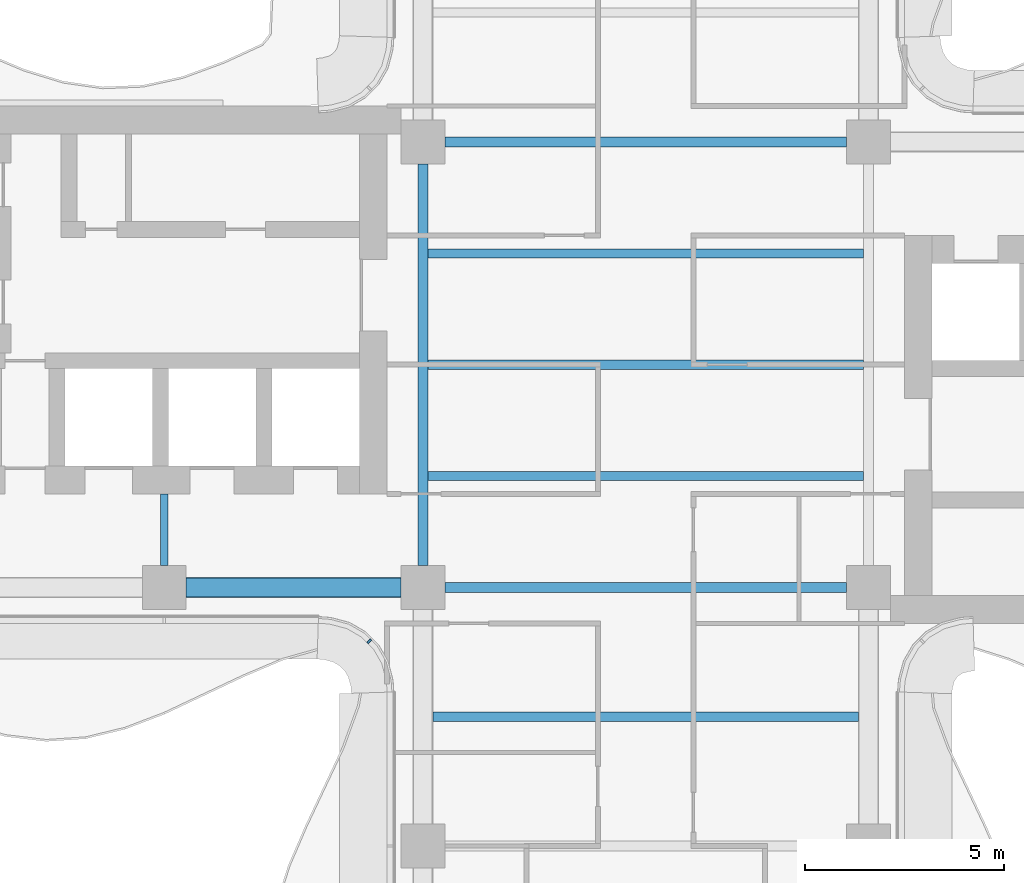
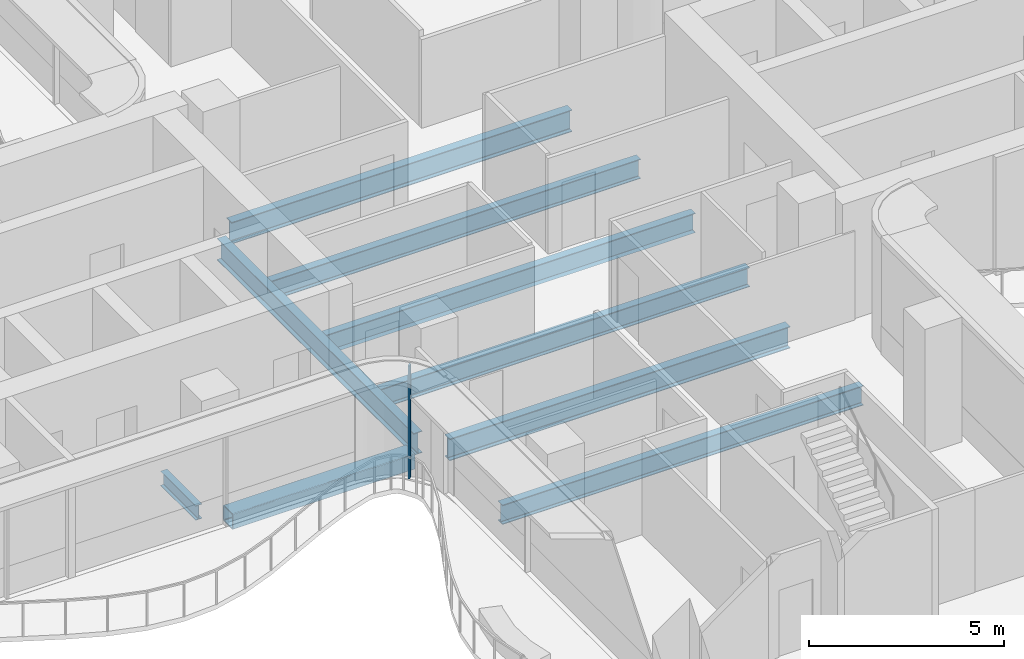
# One storey, part 4 of 17: 9 beams, 1 member, 1 element without a shape of its own.
"""IFC4 building model written with IfcOpenShell, lengths in metres."""

from ifc_helpers import new_model, si_unit, direction, frame, origin, origin_2d, place, context, subcontext, project, spatial, rectangle, hollow_rectangle, i_section, extrude, source, transform, mapped, material, layer, layer_set, material_profile, profile_set, type_object, element, aggregate, save


model = new_model("IFC4")

# Units and contexts
model_context = context("Model", 3, precision=1e-05, world=origin(), true_north=direction((0.0, 1.0)))
body_context = subcontext(model_context, "Body", "Model", "MODEL_VIEW")
ifc_project = project(units=[si_unit("LENGTHUNIT", "METRE"), si_unit("AREAUNIT", "SQUARE_METRE"), si_unit("VOLUMEUNIT", "CUBIC_METRE"), si_unit("PLANEANGLEUNIT", "RADIAN"), si_unit("MASSUNIT", "GRAM", prefix="KILO")], contexts=[model_context])

# Site, building, storey
site_placement = place(None, origin())
site = spatial("IfcSite", under=ifc_project, at=site_placement, CompositionType="ELEMENT")
building_placement = place(site_placement, origin())
building = spatial("IfcBuilding", under=site, at=building_placement, Name="Trellis Farm Tower", CompositionType="ELEMENT")
storey_placement = place(building_placement, frame((0.0, 0.0, 220.699951171875)))
storey = spatial("IfcBuildingStorey", under=building, at=storey_placement, Name="L48", CompositionType="ELEMENT", Elevation=220.699951171875)

# Beams
ifc_material_1 = material(Name="Steel S355", Category="steel")
ifc_material_profile_1 = material_profile(ifc_material_1, i_section(OverallWidth=0.22900390625, OverallDepth=0.6123046875, WebThickness=0.011962890625, FlangeThickness=0.01953125, FilletRadius=0.0126953125, at=origin_2d()), Name="UB 610x229x125")
ifc_profile_set_1 = profile_set([ifc_material_profile_1], Name="Steel S355")
beam_type_1 = type_object("IfcBeamType", Name="UB 610x229x125 joist", PredefinedType="JOIST", material=ifc_profile_set_1)
shared_shape_1 = source(origin(), body_context, "Body", "SweptSolid", [
    extrude(i_section(OverallWidth=0.22900390625, OverallDepth=0.6123046875, WebThickness=0.011962890625, FlangeThickness=0.01953125, FilletRadius=0.0126953125, at=origin_2d()), origin(), (0.0, 0.0, 1.0), 10.9462890625),
])
for number, where, z_axis, x_axis, name in (
    (1, (-5.47314453125, -2.800048828125, -0.506103515625), (1.0, 0.0, 0.0), (0.0, 1.0, 0.0), "Floor beam"),
    (2, (-5.47314453125, 0.0, -0.506103515625), (1.0, 0.0, 0.0), (0.0, 1.0, 0.0), "Floor beam"),
    (3, (-5.47314453125, 2.800048828125, -0.506103515625), (1.0, 0.0, 0.0), (0.0, 1.0, 0.0), "Floor beam"),
):
    element("IfcBeam", number, at=place(storey_placement, frame(where, z_axis=z_axis, x_axis=x_axis)), inside=storey, type_object=beam_type_1, Name=name, PredefinedType="JOIST", context=body_context, shape_type="MappedRepresentation", body=[
        mapped(shared_shape_1, transform((0.0, 0.0, 0.0))),
    ])
ifc_material_profile_2 = material_profile(ifc_material_1, hollow_rectangle(XDim=0.5, YDim=0.5, WallThickness=0.030029296875, InnerFilletRadius=0.030029296875, OuterFilletRadius=0.044921875, at=origin_2d()), Name="SHS 500x500x30")
ifc_profile_set_2 = profile_set([ifc_material_profile_2], Name="Steel S355")
beam_type_2 = type_object("IfcBeamType", Name="SHS 500x500x30", PredefinedType="BEAM", material=ifc_profile_set_2)
shared_shape_2 = source(origin(), body_context, "Body", "SweptSolid", [
    extrude(hollow_rectangle(XDim=0.5, YDim=0.5, WallThickness=0.030029296875, InnerFilletRadius=0.030029296875, OuterFilletRadius=0.044921875, at=origin_2d()), origin(), (0.0, 0.0, 1.0), 5.400146484375),
])
beam_1_placement = place(storey_placement, frame((-11.550048828125, -5.60009765625, -0.449951171875), z_axis=(1.0, 0.0, 0.0), x_axis=(0.0, 1.0, 0.0)))
element("IfcBeam", 4, at=beam_1_placement, inside=storey, type_object=beam_type_2, Name="Girder", PredefinedType="BEAM", context=body_context, shape_type="MappedRepresentation", body=[
    mapped(shared_shape_2, transform((0.0, 0.0, 0.0))),
])
ifc_material_profile_3 = material_profile(ifc_material_1, i_section(OverallWidth=0.253662109375, OverallDepth=0.68359375, WebThickness=0.012451171875, FlangeThickness=0.021728515625, FilletRadius=0.01513671875, at=origin_2d()), Name="UB 686x254x140")
ifc_profile_set_3 = profile_set([ifc_material_profile_3], Name="Steel S355")
beam_type_3 = type_object("IfcBeamType", Name="UB 686x254x140", PredefinedType="BEAM", material=ifc_profile_set_3)
shared_shape_3 = source(origin(), body_context, "Body", "SweptSolid", [
    extrude(i_section(OverallWidth=0.253662109375, OverallDepth=0.68359375, WebThickness=0.012451171875, FlangeThickness=0.021728515625, FilletRadius=0.01513671875, at=origin_2d()), origin(), (0.0, 0.0, 1.0), 10.10009765625),
])
for number, where, z_axis, x_axis, name in (
    (5, (-5.050048828125, -5.60009765625, -0.541748046875), (1.0, 0.0, 0.0), (0.0, 1.0, 0.0), "Girder"),
    (6, (-5.050048828125, 5.60009765625, -0.541748046875), (1.0, 0.0, 0.0), (0.0, 1.0, 0.0), "Girder"),
    (7, (-5.60009765625, -5.050048828125, -0.541748046875), (0.0, 1.0, 0.0), (-1.0, 0.0, 0.0), "Girder"),
):
    element("IfcBeam", number, at=place(storey_placement, frame(where, z_axis=z_axis, x_axis=x_axis)), inside=storey, type_object=beam_type_3, Name=name, PredefinedType="BEAM", context=body_context, shape_type="MappedRepresentation", body=[
        mapped(shared_shape_3, transform((0.0, 0.0, 0.0))),
    ])
ifc_material_profile_4 = material_profile(ifc_material_1, i_section(OverallWidth=0.1904296875, OverallDepth=0.45703125, WebThickness=0.009033203125, FlangeThickness=0.014404296875, FilletRadius=0.01025390625, at=origin_2d()), Name="UB 457x191x74")
ifc_profile_set_4 = profile_set([ifc_material_profile_4], Name="Steel S355")
beam_type_4 = type_object("IfcBeamType", Name="UB 457x191x74", PredefinedType="BEAM", material=ifc_profile_set_4)
shared_shape_4 = source(origin(), body_context, "Body", "SweptSolid", [
    extrude(i_section(OverallWidth=0.1904296875, OverallDepth=0.45703125, WebThickness=0.009033203125, FlangeThickness=0.014404296875, FilletRadius=0.01025390625, at=origin_2d()), origin(), (0.0, 0.0, 1.0), 1.800048828125),
])
beam_2_placement = place(storey_placement, frame((-12.10009765625, -5.050048828125, -0.428466796875), z_axis=(0.0, 1.0, 0.0), x_axis=(-1.0, 0.0, 0.0)))
element("IfcBeam", 8, at=beam_2_placement, inside=storey, type_object=beam_type_4, Name="Girder", PredefinedType="BEAM", context=body_context, shape_type="MappedRepresentation", body=[
    mapped(shared_shape_4, transform((0.0, 0.0, 0.0))),
])
shared_shape_5 = source(origin(), body_context, "Body", "SweptSolid", [
    extrude(i_section(OverallWidth=0.22900390625, OverallDepth=0.6123046875, WebThickness=0.011962890625, FlangeThickness=0.01953125, FilletRadius=0.0126953125, at=origin_2d()), origin(), (0.0, 0.0, 1.0), 10.7001953125),
])
beam_3_placement = place(storey_placement, frame((-5.35009765625, -8.85009765625, -0.506103515625), z_axis=(1.0, 0.0, 0.0), x_axis=(0.0, 1.0, 0.0)))
element("IfcBeam", 9, at=beam_3_placement, inside=storey, type_object=beam_type_1, Name="Floor beam", PredefinedType="JOIST", context=body_context, shape_type="MappedRepresentation", body=[
    mapped(shared_shape_5, transform((0.0, 0.0, 0.0))),
])

# Curtain wall, member
ifc_material_2 = material(Name="Aluminium and glass curtain wall", Category="aluminium")
ifc_layer = layer(ifc_material_2, 0.166015625)
ifc_layer_set = layer_set([ifc_layer], Name="WINTER GARDEN CURTAIN WALL CW3")
curtain_wall_type = type_object("IfcCurtainWallType", Name="WINTER GARDEN CURTAIN WALL CW3", PredefinedType="NOTDEFINED", material=ifc_layer_set)
curtain_wall_placement = place(storey_placement, origin())
curtain_wall = element("IfcCurtainWall", 10, at=curtain_wall_placement, inside=storey, type_object=curtain_wall_type, Name="CW3 001", PredefinedType="NOTDEFINED")
ifc_material_3 = material(Name="Aluminium extrusion 6063-T6", Category="aluminium")
ifc_material_profile_5 = material_profile(ifc_material_3, rectangle(XDim=0.050048828125, YDim=0.1201171875, at=origin_2d()), Name="MULLION 50x120")
ifc_profile_set_5 = profile_set([ifc_material_profile_5], Name="Aluminium extrusion 6063-T6")
member_type = type_object("IfcMemberType", Name="CW3 MULLION 50x120", PredefinedType="MULLION", material=ifc_profile_set_5)
shared_shape_6 = source(origin(), body_context, "Body", "SweptSolid", [
    extrude(rectangle(XDim=0.050048828125, YDim=0.1201171875, at=origin_2d()), origin(), (0.0, 0.0, 1.0), 3.550048828125),
])
member_placement = place(storey_placement, frame((-6.953125, -6.953125, 0.0), z_axis=(0.0, 0.0, 1.0), x_axis=(0.707106781187, -0.707106781187, 0.0)))
member = element("IfcMember", 11, at=member_placement, type_object=member_type, Name="MU3 001-01", PredefinedType="MULLION", context=body_context, shape_type="MappedRepresentation", body=[
    mapped(shared_shape_6, transform((0.0, 0.0, 0.0))),
])
aggregate(curtain_wall, [member])

save(model, "model.ifc")
